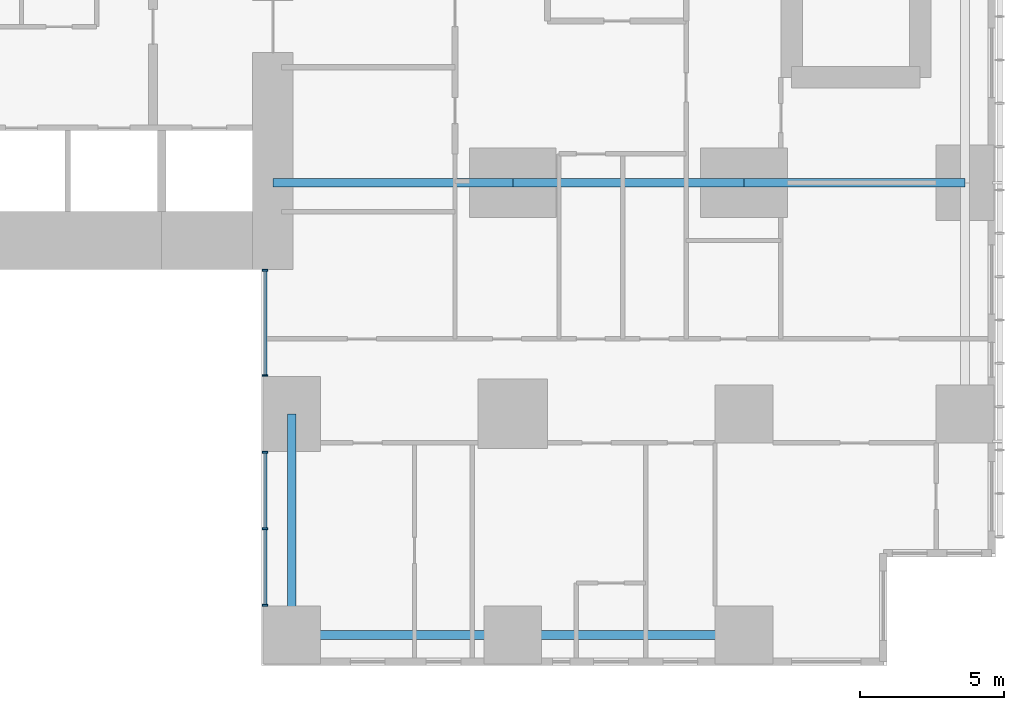
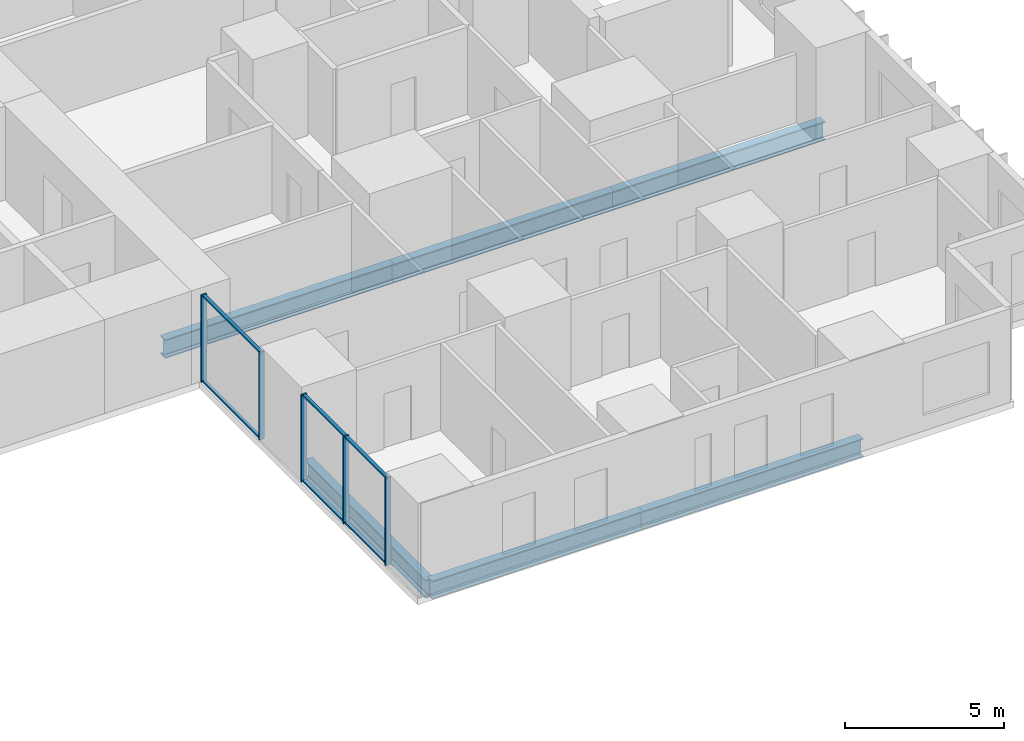
# One storey, part 3 of 20: 11 members, 6 beams, 2 elements without a shape of their own.
"""IFC4 building model written with IfcOpenShell, lengths in metres."""

from ifc_helpers import new_model, si_unit, direction, frame, origin, origin_2d, place, context, subcontext, project, spatial, rectangle, i_section, extrude, material, layer, layer_set, material_profile, profile_set, type_object, element, aggregate, save


model = new_model("IFC4")

# Units and contexts
model_context = context("Model", 3, precision=1e-05, world=origin(), true_north=direction((0.0, 1.0)))
body_context = subcontext(model_context, "Body", "Model", "MODEL_VIEW")
ifc_project = project(units=[si_unit("LENGTHUNIT", "METRE"), si_unit("AREAUNIT", "SQUARE_METRE"), si_unit("VOLUMEUNIT", "CUBIC_METRE"), si_unit("PLANEANGLEUNIT", "RADIAN"), si_unit("MASSUNIT", "GRAM", prefix="KILO")], contexts=[model_context])

# Site, building, storey
site_placement = place(None, origin())
site = spatial("IfcSite", under=ifc_project, at=site_placement, CompositionType="ELEMENT")
building_placement = place(site_placement, origin())
building = spatial("IfcBuilding", under=site, at=building_placement, Name="Cleftline Residences", CompositionType="ELEMENT")
storey_placement = place(building_placement, frame((0.0, 0.0, 72.800048828125)))
storey = spatial("IfcBuildingStorey", under=building, at=storey_placement, Name="L18", CompositionType="ELEMENT", Elevation=72.800048828125)

# Beams
ifc_material_1 = material(Name="Steel S355", Category="steel")
ifc_material_profile_1 = material_profile(ifc_material_1, i_section(OverallWidth=0.300048828125, OverallDepth=0.699951171875, WebThickness=0.01708984375, FlangeThickness=0.031982421875, FilletRadius=0.027099609375, at=origin_2d()))
ifc_profile_set_1 = profile_set([ifc_material_profile_1], Name="Steel S355")
beam_type_1 = type_object("IfcBeamType", Name="BEAM HEB 700", PredefinedType="BEAM", material=ifc_profile_set_1)
beam_1_placement = place(storey_placement, frame((58.0, 0.35009765625, -0.60009765625), z_axis=(-1.0, 0.0, 0.0), x_axis=(0.0, -1.0, 0.0)))
element("IfcBeam", 1, at=beam_1_placement, inside=storey, type_object=beam_type_1, Name="Edge beam", PredefinedType="BEAM", context=body_context, shape_type="SweptSolid", body=[
    extrude(i_section(OverallWidth=0.300048828125, OverallDepth=0.699951171875, WebThickness=0.01708984375, FlangeThickness=0.031982421875, FilletRadius=0.027099609375, at=origin_2d()), origin(), (0.0, 0.0, 1.0), 8.0),
])
for number, where, z_axis, x_axis, name in (
    (2, (50.0, 0.35009765625, -0.60009765625), (-1.0, 0.0, 0.0), (0.0, -1.0, 0.0), "Edge beam"),
    (3, (42.35009765625, 0.35009765625, -0.60009765625), (0.0, 1.0, 0.0), (-1.0, 0.0, 0.0), "Edge beam"),
):
    element("IfcBeam", number, at=place(storey_placement, frame(where, z_axis=z_axis, x_axis=x_axis)), inside=storey, type_object=beam_type_1, Name=name, PredefinedType="BEAM", context=body_context, shape_type="SweptSolid", body=[
        extrude(i_section(OverallWidth=0.300048828125, OverallDepth=0.699951171875, WebThickness=0.01708984375, FlangeThickness=0.031982421875, FilletRadius=0.027099609375, at=origin_2d()), origin(), (0.0, 0.0, 1.0), 7.64990234375),
    ])
ifc_material_2 = material(Name="Steel S355", Category="steel")
ifc_material_profile_2 = material_profile(ifc_material_2, i_section(OverallWidth=0.303955078125, OverallDepth=0.716064453125, WebThickness=0.02099609375, FlangeThickness=0.0400390625, FilletRadius=0.027099609375, at=origin_2d()))
ifc_profile_set_2 = profile_set([ifc_material_profile_2], Name="Steel S355")
beam_type_2 = type_object("IfcBeamType", Name="BEAM HEM 700", PredefinedType="BEAM", material=ifc_profile_set_2)
beam_2_placement = place(storey_placement, frame((65.64990234375, 16.0, -0.608154296875), z_axis=(-1.0, 0.0, 0.0), x_axis=(0.0, -1.0, 0.0)))
element("IfcBeam", 4, at=beam_2_placement, inside=storey, type_object=beam_type_2, Name="Band beam", PredefinedType="BEAM", context=body_context, shape_type="SweptSolid", body=[
    extrude(i_section(OverallWidth=0.303955078125, OverallDepth=0.716064453125, WebThickness=0.02099609375, FlangeThickness=0.0400390625, FilletRadius=0.027099609375, at=origin_2d()), origin(), (0.0, 0.0, 1.0), 7.64990234375),
])
beam_3_placement = place(storey_placement, frame((58.0, 16.0, -0.608154296875), z_axis=(-1.0, 0.0, 0.0), x_axis=(0.0, -1.0, 0.0)))
element("IfcBeam", 5, at=beam_3_placement, inside=storey, type_object=beam_type_2, Name="Band beam", PredefinedType="BEAM", context=body_context, shape_type="SweptSolid", body=[
    extrude(i_section(OverallWidth=0.303955078125, OverallDepth=0.716064453125, WebThickness=0.02099609375, FlangeThickness=0.0400390625, FilletRadius=0.027099609375, at=origin_2d()), origin(), (0.0, 0.0, 1.0), 8.0),
])
beam_4_placement = place(storey_placement, frame((50.0, 16.0, -0.608154296875), z_axis=(-1.0, 0.0, 0.0), x_axis=(0.0, -1.0, 0.0)))
element("IfcBeam", 6, at=beam_4_placement, inside=storey, type_object=beam_type_2, Name="Band beam", PredefinedType="BEAM", context=body_context, shape_type="SweptSolid", body=[
    extrude(i_section(OverallWidth=0.303955078125, OverallDepth=0.716064453125, WebThickness=0.02099609375, FlangeThickness=0.0400390625, FilletRadius=0.027099609375, at=origin_2d()), origin(), (0.0, 0.0, 1.0), 8.300048828125),
])

# Curtain wall, members
ifc_material_3 = material(Name="Aluminium framed curtain wall", Category="aluminium")
ifc_layer = layer(ifc_material_3, 0.199951171875)
ifc_layer_set = layer_set([ifc_layer], Name="CW1 CLEFT GLAZING")
curtain_wall_type = type_object("IfcCurtainWallType", Name="CW1 CLEFT GLAZING", PredefinedType="NOTDEFINED", material=ifc_layer_set)
curtain_wall_1_placement = place(storey_placement, origin())
curtain_wall_1 = element("IfcCurtainWall", 7, at=curtain_wall_1_placement, inside=storey, type_object=curtain_wall_type, Name="Curtain wall CW1", PredefinedType="NOTDEFINED")
ifc_material_4 = material(Name="Aluminium mullion", Category="aluminium")
ifc_material_profile_3 = material_profile(ifc_material_4, rectangle(XDim=0.199951171875, YDim=0.06005859375, at=origin_2d()))
ifc_profile_set_3 = profile_set([ifc_material_profile_3], Name="Aluminium mullion")
member_type_1 = type_object("IfcMemberType", Name="CW1 MULLION", PredefinedType="MULLION", material=ifc_profile_set_3)
member_1_placement = place(storey_placement, frame((41.425048828125, 12.969970703125, 0.0), z_axis=(0.0, 0.0, 1.0), x_axis=(1.0, 0.0, 0.0)))
member_1 = element("IfcMember", 8, at=member_1_placement, type_object=member_type_1, Name="CW1 mullion 1", PredefinedType="MULLION", context=body_context, shape_type="SweptSolid", body=[
    extrude(rectangle(XDim=0.199951171875, YDim=0.06005859375, at=origin_2d()), origin(), (0.0, 0.0, 1.0), 3.349853515625),
])
member_2_placement = place(storey_placement, frame((41.425048828125, 9.330078125, 0.0), z_axis=(0.0, 0.0, 1.0), x_axis=(1.0, 0.0, 0.0)))
member_2 = element("IfcMember", 9, at=member_2_placement, type_object=member_type_1, Name="CW1 mullion 2", PredefinedType="MULLION", context=body_context, shape_type="SweptSolid", body=[
    extrude(rectangle(XDim=0.199951171875, YDim=0.06005859375, at=origin_2d()), origin(), (0.0, 0.0, 1.0), 3.349853515625),
])

curtain_wall_2_placement = place(storey_placement, origin())
curtain_wall_2 = element("IfcCurtainWall", 10, at=curtain_wall_2_placement, inside=storey, type_object=curtain_wall_type, Name="Curtain wall CW1", PredefinedType="NOTDEFINED")
member_3_placement = place(storey_placement, frame((41.425048828125, 6.669921875, 0.0), z_axis=(0.0, 0.0, 1.0), x_axis=(1.0, 0.0, 0.0)))
member_3 = element("IfcMember", 11, at=member_3_placement, type_object=member_type_1, Name="CW1 mullion 1", PredefinedType="MULLION", context=body_context, shape_type="SweptSolid", body=[
    extrude(rectangle(XDim=0.199951171875, YDim=0.06005859375, at=origin_2d()), origin(), (0.0, 0.0, 1.0), 3.349853515625),
])
member_4_placement = place(storey_placement, frame((41.425048828125, 4.02490234375, 0.0), z_axis=(0.0, 0.0, 1.0), x_axis=(1.0, 0.0, 0.0)))
member_4 = element("IfcMember", 12, at=member_4_placement, type_object=member_type_1, Name="CW1 mullion 2", PredefinedType="MULLION", context=body_context, shape_type="SweptSolid", body=[
    extrude(rectangle(XDim=0.199951171875, YDim=0.06005859375, at=origin_2d()), origin(), (0.0, 0.0, 1.0), 3.349853515625),
])
member_5_placement = place(storey_placement, frame((41.425048828125, 1.3798828125, 0.0), z_axis=(0.0, 0.0, 1.0), x_axis=(1.0, 0.0, 0.0)))
member_5 = element("IfcMember", 13, at=member_5_placement, type_object=member_type_1, Name="CW1 mullion 3", PredefinedType="MULLION", context=body_context, shape_type="SweptSolid", body=[
    extrude(rectangle(XDim=0.199951171875, YDim=0.06005859375, at=origin_2d()), origin(), (0.0, 0.0, 1.0), 3.349853515625),
])

# Member
ifc_material_5 = material(Name="Aluminium transom", Category="aluminium")
ifc_material_profile_4 = material_profile(ifc_material_5, rectangle(XDim=0.1201171875, YDim=0.06005859375, at=origin_2d()))
ifc_profile_set_4 = profile_set([ifc_material_profile_4], Name="Aluminium transom")
member_type_2 = type_object("IfcMemberType", Name="CW1 TRANSOM", PredefinedType="USERDEFINED", material=ifc_profile_set_4)
member_6_placement = place(storey_placement, frame((41.425048828125, 12.93994140625, 0.030029296875), z_axis=(0.0, -1.0, 0.0), x_axis=(1.0, 0.0, 0.0)))
member_6 = element("IfcMember", 14, at=member_6_placement, type_object=member_type_2, Name="CW1 transom 1.1", ObjectType="TRANSOM", PredefinedType="USERDEFINED", context=body_context, shape_type="SweptSolid", body=[
    extrude(rectangle(XDim=0.1201171875, YDim=0.06005859375, at=origin_2d()), origin(), (0.0, 0.0, 1.0), 3.579833984375),
])

member_7_placement = place(storey_placement, frame((41.425048828125, 12.93994140625, 3.320068359375), z_axis=(0.0, -1.0, 0.0), x_axis=(1.0, 0.0, 0.0)))
member_7 = element("IfcMember", 15, at=member_7_placement, type_object=member_type_2, Name="CW1 transom 1.2", ObjectType="TRANSOM", PredefinedType="USERDEFINED", context=body_context, shape_type="SweptSolid", body=[
    extrude(rectangle(XDim=0.1201171875, YDim=0.06005859375, at=origin_2d()), origin(), (0.0, 0.0, 1.0), 3.579833984375),
])

aggregate(curtain_wall_1, [member_1, member_2, member_6, member_7])

member_8_placement = place(storey_placement, frame((41.425048828125, 6.639892578125, 0.030029296875), z_axis=(0.0, -1.0, 0.0), x_axis=(1.0, 0.0, 0.0)))
member_8 = element("IfcMember", 16, at=member_8_placement, type_object=member_type_2, Name="CW1 transom 1.1", ObjectType="TRANSOM", PredefinedType="USERDEFINED", context=body_context, shape_type="SweptSolid", body=[
    extrude(rectangle(XDim=0.1201171875, YDim=0.06005859375, at=origin_2d()), origin(), (0.0, 0.0, 1.0), 2.5849609375),
])

member_9_placement = place(storey_placement, frame((41.425048828125, 6.639892578125, 3.320068359375), z_axis=(0.0, -1.0, 0.0), x_axis=(1.0, 0.0, 0.0)))
member_9 = element("IfcMember", 17, at=member_9_placement, type_object=member_type_2, Name="CW1 transom 1.2", ObjectType="TRANSOM", PredefinedType="USERDEFINED", context=body_context, shape_type="SweptSolid", body=[
    extrude(rectangle(XDim=0.1201171875, YDim=0.06005859375, at=origin_2d()), origin(), (0.0, 0.0, 1.0), 2.5849609375),
])

member_10_placement = place(storey_placement, frame((41.425048828125, 3.9951171875, 0.030029296875), z_axis=(0.0, -1.0, 0.0), x_axis=(1.0, 0.0, 0.0)))
member_10 = element("IfcMember", 18, at=member_10_placement, type_object=member_type_2, Name="CW1 transom 2.1", ObjectType="TRANSOM", PredefinedType="USERDEFINED", context=body_context, shape_type="SweptSolid", body=[
    extrude(rectangle(XDim=0.1201171875, YDim=0.06005859375, at=origin_2d()), origin(), (0.0, 0.0, 1.0), 2.585205078125),
])

member_11_placement = place(storey_placement, frame((41.425048828125, 3.9951171875, 3.320068359375), z_axis=(0.0, -1.0, 0.0), x_axis=(1.0, 0.0, 0.0)))
member_11 = element("IfcMember", 19, at=member_11_placement, type_object=member_type_2, Name="CW1 transom 2.2", ObjectType="TRANSOM", PredefinedType="USERDEFINED", context=body_context, shape_type="SweptSolid", body=[
    extrude(rectangle(XDim=0.1201171875, YDim=0.06005859375, at=origin_2d()), origin(), (0.0, 0.0, 1.0), 2.585205078125),
])

aggregate(curtain_wall_2, [member_3, member_4, member_5, member_8, member_9, member_10, member_11])

save(model, "model.ifc")
